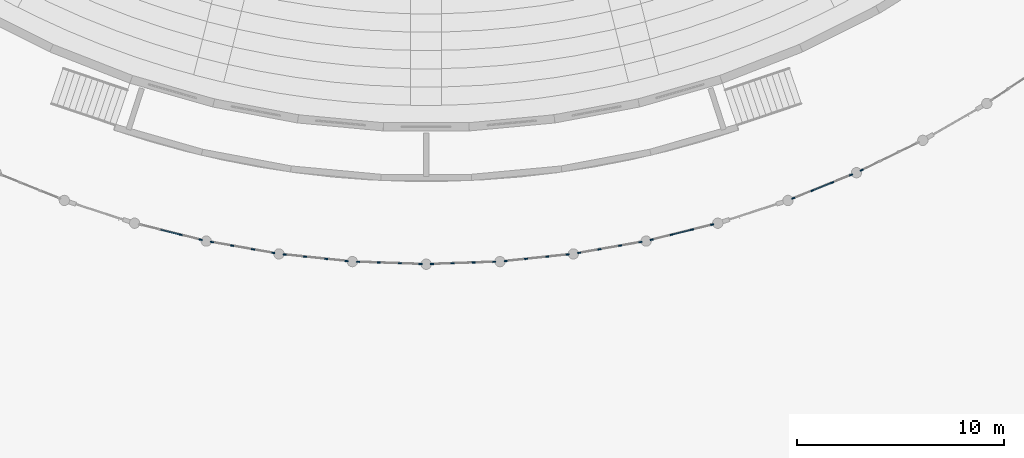
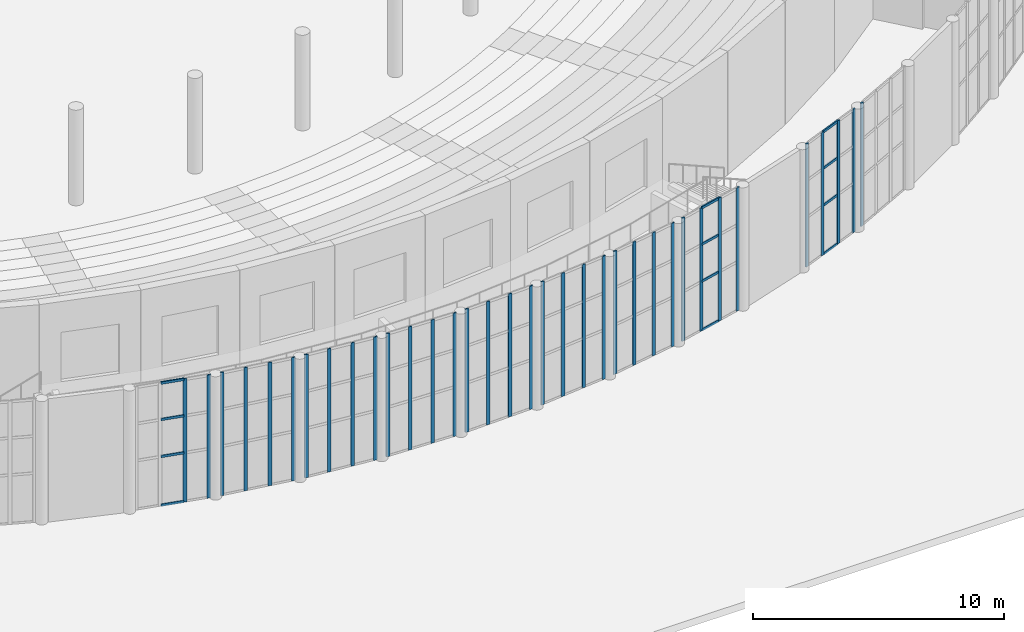
# One storey, part 47 of 210: 47 members, 10 elements without a shape of their own.
"""IFC4 building model written with IfcOpenShell, lengths in metres."""

from ifc_helpers import new_model, si_unit, direction, frame, origin, origin_2d, place, context, subcontext, project, spatial, rectangle, extrude, material, layer, layer_set, material_profile, profile_set, type_object, element, aggregate, save


model = new_model("IFC4")

# Units and contexts
model_context = context("Model", 3, precision=1e-05, world=origin(), true_north=direction((0.0, 1.0)))
body_context = subcontext(model_context, "Body", "Model", "MODEL_VIEW")
ifc_project = project(units=[si_unit("LENGTHUNIT", "METRE"), si_unit("AREAUNIT", "SQUARE_METRE"), si_unit("VOLUMEUNIT", "CUBIC_METRE"), si_unit("PLANEANGLEUNIT", "RADIAN"), si_unit("MASSUNIT", "GRAM", prefix="KILO")], contexts=[model_context])

# Site, building, storey
site_placement = place(None, origin())
site = spatial("IfcSite", under=ifc_project, at=site_placement, CompositionType="ELEMENT")
building_placement = place(site_placement, origin())
building = spatial("IfcBuilding", under=site, at=building_placement, Name="Rain Tree Exposition and Congress Centre", CompositionType="ELEMENT")
storey_placement = place(building_placement, origin())
storey = spatial("IfcBuildingStorey", under=building, at=storey_placement, Name="L00", CompositionType="ELEMENT", Elevation=0.0)

# Curtain wall, members
ifc_material_1 = material(Name="Aluminium", Category="aluminium")
ifc_layer = layer(ifc_material_1, 0.10009765625)
ifc_layer_set = layer_set([ifc_layer], Name="Aluminium")
curtain_wall_type = type_object("IfcCurtainWallType", Name="Curtain wall congress", PredefinedType="NOTDEFINED", material=ifc_layer_set)
curtain_wall_1_placement = place(storey_placement, origin())
curtain_wall_1 = element("IfcCurtainWall", 1, at=curtain_wall_1_placement, inside=storey, type_object=curtain_wall_type, Name="Curtain wall L00 bay 7", PredefinedType="NOTDEFINED")
ifc_material_2 = material(Name="Aluminium", Category="aluminium")
ifc_material_profile_1 = material_profile(ifc_material_2, rectangle(XDim=0.06005859375, YDim=0.159912109375, at=origin_2d()), Name="AL 60x160")
ifc_profile_set_1 = profile_set([ifc_material_profile_1], Name="Aluminium")
member_type_1 = type_object("IfcMemberType", Name="Curtain wall mullion 60x160 congress", PredefinedType="MULLION", material=ifc_profile_set_1)
member_1_placement = place(storey_placement, frame((189.71826171875, 17.42724609375, 0.0), z_axis=(0.0, 0.0, 1.0), x_axis=(0.241923171133, 0.970295408249, 0.0)))
member_1 = element("IfcMember", 2, at=member_1_placement, type_object=member_type_1, Name="CWG107 mullion 3", PredefinedType="MULLION", context=body_context, shape_type="SweptSolid", body=[
    extrude(rectangle(XDim=0.06005859375, YDim=0.159912109375, at=origin_2d()), origin(), (0.0, 0.0, 1.0), 6.0),
])
member_2_placement = place(storey_placement, frame((190.68310546875, 17.1865234375, 0.0), z_axis=(0.0, 0.0, 1.0), x_axis=(0.241923171133, 0.970295408249, 0.0)))
member_2 = element("IfcMember", 3, at=member_2_placement, type_object=member_type_1, Name="CWG107 mullion 4", PredefinedType="MULLION", context=body_context, shape_type="SweptSolid", body=[
    extrude(rectangle(XDim=0.06005859375, YDim=0.159912109375, at=origin_2d()), origin(), (0.0, 0.0, 1.0), 6.0),
])

curtain_wall_2_placement = place(storey_placement, origin())
curtain_wall_2 = element("IfcCurtainWall", 4, at=curtain_wall_2_placement, inside=storey, type_object=curtain_wall_type, Name="Curtain wall L00 bay 8", PredefinedType="NOTDEFINED")
member_3_placement = place(storey_placement, frame((191.230712890625, 17.0703125, 0.0), z_axis=(0.0, 0.0, 1.0), x_axis=(0.173634997701, 0.984810076905, 0.0)))
member_3 = element("IfcMember", 5, at=member_3_placement, type_object=member_type_1, Name="CWG108 mullion 1", PredefinedType="MULLION", context=body_context, shape_type="SweptSolid", body=[
    extrude(rectangle(XDim=0.06005859375, YDim=0.159912109375, at=origin_2d()), origin(), (0.0, 0.0, 1.0), 6.0),
])
member_4_placement = place(storey_placement, frame((192.210205078125, 16.8974609375, 0.0), z_axis=(0.0, 0.0, 1.0), x_axis=(0.173634997701, 0.984810076905, 0.0)))
member_4 = element("IfcMember", 6, at=member_4_placement, type_object=member_type_1, Name="CWG108 mullion 2", PredefinedType="MULLION", context=body_context, shape_type="SweptSolid", body=[
    extrude(rectangle(XDim=0.06005859375, YDim=0.159912109375, at=origin_2d()), origin(), (0.0, 0.0, 1.0), 6.0),
])
member_5_placement = place(storey_placement, frame((193.218994140625, 16.719482421875, 0.0), z_axis=(0.0, 0.0, 1.0), x_axis=(0.173634997701, 0.984810076905, 0.0)))
member_5 = element("IfcMember", 7, at=member_5_placement, type_object=member_type_1, Name="CWG108 mullion 3", PredefinedType="MULLION", context=body_context, shape_type="SweptSolid", body=[
    extrude(rectangle(XDim=0.06005859375, YDim=0.159912109375, at=origin_2d()), origin(), (0.0, 0.0, 1.0), 6.0),
])
member_6_placement = place(storey_placement, frame((194.198486328125, 16.546875, 0.0), z_axis=(0.0, 0.0, 1.0), x_axis=(0.173634997701, 0.984810076905, 0.0)))
member_6 = element("IfcMember", 8, at=member_6_placement, type_object=member_type_1, Name="CWG108 mullion 4", PredefinedType="MULLION", context=body_context, shape_type="SweptSolid", body=[
    extrude(rectangle(XDim=0.06005859375, YDim=0.159912109375, at=origin_2d()), origin(), (0.0, 0.0, 1.0), 6.0),
])
aggregate(curtain_wall_2, [member_3, member_4, member_5, member_6])

curtain_wall_3_placement = place(storey_placement, origin())
curtain_wall_3 = element("IfcCurtainWall", 9, at=curtain_wall_3_placement, inside=storey, type_object=curtain_wall_type, Name="Curtain wall L00 bay 9", PredefinedType="NOTDEFINED")
member_7_placement = place(storey_placement, frame((194.7529296875, 16.468994140625, 0.0), z_axis=(0.0, 0.0, 1.0), x_axis=(0.104501874612, 0.994524689589, 0.0)))
member_7 = element("IfcMember", 10, at=member_7_placement, type_object=member_type_1, Name="CWG109 mullion 1", PredefinedType="MULLION", context=body_context, shape_type="SweptSolid", body=[
    extrude(rectangle(XDim=0.06005859375, YDim=0.159912109375, at=origin_2d()), origin(), (0.0, 0.0, 1.0), 6.0),
])
member_8_placement = place(storey_placement, frame((195.741943359375, 16.364990234375, 0.0), z_axis=(0.0, 0.0, 1.0), x_axis=(0.104501874612, 0.994524689589, 0.0)))
member_8 = element("IfcMember", 11, at=member_8_placement, type_object=member_type_1, Name="CWG109 mullion 2", PredefinedType="MULLION", context=body_context, shape_type="SweptSolid", body=[
    extrude(rectangle(XDim=0.06005859375, YDim=0.159912109375, at=origin_2d()), origin(), (0.0, 0.0, 1.0), 6.0),
])
member_9_placement = place(storey_placement, frame((196.760986328125, 16.258056640625, 0.0), z_axis=(0.0, 0.0, 1.0), x_axis=(0.104501874612, 0.994524689589, 0.0)))
member_9 = element("IfcMember", 12, at=member_9_placement, type_object=member_type_1, Name="CWG109 mullion 3", PredefinedType="MULLION", context=body_context, shape_type="SweptSolid", body=[
    extrude(rectangle(XDim=0.06005859375, YDim=0.159912109375, at=origin_2d()), origin(), (0.0, 0.0, 1.0), 6.0),
])
member_10_placement = place(storey_placement, frame((197.75, 16.154052734375, 0.0), z_axis=(0.0, 0.0, 1.0), x_axis=(0.104501874612, 0.994524689589, 0.0)))
member_10 = element("IfcMember", 13, at=member_10_placement, type_object=member_type_1, Name="CWG109 mullion 4", PredefinedType="MULLION", context=body_context, shape_type="SweptSolid", body=[
    extrude(rectangle(XDim=0.06005859375, YDim=0.159912109375, at=origin_2d()), origin(), (0.0, 0.0, 1.0), 6.0),
])
aggregate(curtain_wall_3, [member_7, member_8, member_9, member_10])

curtain_wall_4_placement = place(storey_placement, origin())
curtain_wall_4 = element("IfcCurtainWall", 14, at=curtain_wall_4_placement, inside=storey, type_object=curtain_wall_type, Name="Curtain wall L00 bay 10", PredefinedType="NOTDEFINED")
member_11_placement = place(storey_placement, frame((198.308349609375, 16.114990234375, 0.0), z_axis=(0.0, 0.0, 1.0), x_axis=(0.03490823366, 0.99939052188, 0.0)))
member_11 = element("IfcMember", 15, at=member_11_placement, type_object=member_type_1, Name="CWG110 mullion 1", PredefinedType="MULLION", context=body_context, shape_type="SweptSolid", body=[
    extrude(rectangle(XDim=0.06005859375, YDim=0.159912109375, at=origin_2d()), origin(), (0.0, 0.0, 1.0), 6.0),
])
member_12_placement = place(storey_placement, frame((199.30224609375, 16.080322265625, 0.0), z_axis=(0.0, 0.0, 1.0), x_axis=(0.03490823366, 0.99939052188, 0.0)))
member_12 = element("IfcMember", 16, at=member_12_placement, type_object=member_type_1, Name="CWG110 mullion 2", PredefinedType="MULLION", context=body_context, shape_type="SweptSolid", body=[
    extrude(rectangle(XDim=0.06005859375, YDim=0.159912109375, at=origin_2d()), origin(), (0.0, 0.0, 1.0), 6.0),
])
member_13_placement = place(storey_placement, frame((200.326171875, 16.04443359375, 0.0), z_axis=(0.0, 0.0, 1.0), x_axis=(0.03490823366, 0.99939052188, 0.0)))
member_13 = element("IfcMember", 17, at=member_13_placement, type_object=member_type_1, Name="CWG110 mullion 3", PredefinedType="MULLION", context=body_context, shape_type="SweptSolid", body=[
    extrude(rectangle(XDim=0.06005859375, YDim=0.159912109375, at=origin_2d()), origin(), (0.0, 0.0, 1.0), 6.0),
])
member_14_placement = place(storey_placement, frame((201.3203125, 16.009765625, 0.0), z_axis=(0.0, 0.0, 1.0), x_axis=(0.03490823366, 0.99939052188, 0.0)))
member_14 = element("IfcMember", 18, at=member_14_placement, type_object=member_type_1, Name="CWG110 mullion 4", PredefinedType="MULLION", context=body_context, shape_type="SweptSolid", body=[
    extrude(rectangle(XDim=0.06005859375, YDim=0.159912109375, at=origin_2d()), origin(), (0.0, 0.0, 1.0), 6.0),
])
aggregate(curtain_wall_4, [member_11, member_12, member_13, member_14])

curtain_wall_5_placement = place(storey_placement, origin())
curtain_wall_5 = element("IfcCurtainWall", 19, at=curtain_wall_5_placement, inside=storey, type_object=curtain_wall_type, Name="Curtain wall L00 bay 11", PredefinedType="NOTDEFINED")
member_15_placement = place(storey_placement, frame((201.8798828125, 16.009765625, 0.0), z_axis=(0.0, 0.0, 1.0), x_axis=(-0.03490823366, 0.99939052188, 0.0)))
member_15 = element("IfcMember", 20, at=member_15_placement, type_object=member_type_1, Name="CWG111 mullion 1", PredefinedType="MULLION", context=body_context, shape_type="SweptSolid", body=[
    extrude(rectangle(XDim=0.06005859375, YDim=0.159912109375, at=origin_2d()), origin(), (0.0, 0.0, 1.0), 6.0),
])
member_16_placement = place(storey_placement, frame((202.873779296875, 16.04443359375, 0.0), z_axis=(0.0, 0.0, 1.0), x_axis=(-0.03490823366, 0.99939052188, 0.0)))
member_16 = element("IfcMember", 21, at=member_16_placement, type_object=member_type_1, Name="CWG111 mullion 2", PredefinedType="MULLION", context=body_context, shape_type="SweptSolid", body=[
    extrude(rectangle(XDim=0.06005859375, YDim=0.159912109375, at=origin_2d()), origin(), (0.0, 0.0, 1.0), 6.0),
])
member_17_placement = place(storey_placement, frame((203.897705078125, 16.080322265625, 0.0), z_axis=(0.0, 0.0, 1.0), x_axis=(-0.03490823366, 0.99939052188, 0.0)))
member_17 = element("IfcMember", 22, at=member_17_placement, type_object=member_type_1, Name="CWG111 mullion 3", PredefinedType="MULLION", context=body_context, shape_type="SweptSolid", body=[
    extrude(rectangle(XDim=0.06005859375, YDim=0.159912109375, at=origin_2d()), origin(), (0.0, 0.0, 1.0), 6.0),
])
member_18_placement = place(storey_placement, frame((204.8916015625, 16.114990234375, 0.0), z_axis=(0.0, 0.0, 1.0), x_axis=(-0.03490823366, 0.99939052188, 0.0)))
member_18 = element("IfcMember", 23, at=member_18_placement, type_object=member_type_1, Name="CWG111 mullion 4", PredefinedType="MULLION", context=body_context, shape_type="SweptSolid", body=[
    extrude(rectangle(XDim=0.06005859375, YDim=0.159912109375, at=origin_2d()), origin(), (0.0, 0.0, 1.0), 6.0),
])
aggregate(curtain_wall_5, [member_15, member_16, member_17, member_18])

curtain_wall_6_placement = place(storey_placement, origin())
curtain_wall_6 = element("IfcCurtainWall", 24, at=curtain_wall_6_placement, inside=storey, type_object=curtain_wall_type, Name="Curtain wall L00 bay 12", PredefinedType="NOTDEFINED")
member_19_placement = place(storey_placement, frame((205.449951171875, 16.154052734375, 0.0), z_axis=(0.0, 0.0, 1.0), x_axis=(-0.104501874612, 0.994524689589, 0.0)))
member_19 = element("IfcMember", 25, at=member_19_placement, type_object=member_type_1, Name="CWG112 mullion 1", PredefinedType="MULLION", context=body_context, shape_type="SweptSolid", body=[
    extrude(rectangle(XDim=0.06005859375, YDim=0.159912109375, at=origin_2d()), origin(), (0.0, 0.0, 1.0), 6.0),
])
member_20_placement = place(storey_placement, frame((206.439208984375, 16.258056640625, 0.0), z_axis=(0.0, 0.0, 1.0), x_axis=(-0.104501874612, 0.994524689589, 0.0)))
member_20 = element("IfcMember", 26, at=member_20_placement, type_object=member_type_1, Name="CWG112 mullion 2", PredefinedType="MULLION", context=body_context, shape_type="SweptSolid", body=[
    extrude(rectangle(XDim=0.06005859375, YDim=0.159912109375, at=origin_2d()), origin(), (0.0, 0.0, 1.0), 6.0),
])
member_21_placement = place(storey_placement, frame((207.4580078125, 16.364990234375, 0.0), z_axis=(0.0, 0.0, 1.0), x_axis=(-0.104501874612, 0.994524689589, 0.0)))
member_21 = element("IfcMember", 27, at=member_21_placement, type_object=member_type_1, Name="CWG112 mullion 3", PredefinedType="MULLION", context=body_context, shape_type="SweptSolid", body=[
    extrude(rectangle(XDim=0.06005859375, YDim=0.159912109375, at=origin_2d()), origin(), (0.0, 0.0, 1.0), 6.0),
])
member_22_placement = place(storey_placement, frame((208.447265625, 16.468994140625, 0.0), z_axis=(0.0, 0.0, 1.0), x_axis=(-0.104501874612, 0.994524689589, 0.0)))
member_22 = element("IfcMember", 28, at=member_22_placement, type_object=member_type_1, Name="CWG112 mullion 4", PredefinedType="MULLION", context=body_context, shape_type="SweptSolid", body=[
    extrude(rectangle(XDim=0.06005859375, YDim=0.159912109375, at=origin_2d()), origin(), (0.0, 0.0, 1.0), 6.0),
])
aggregate(curtain_wall_6, [member_19, member_20, member_21, member_22])

curtain_wall_7_placement = place(storey_placement, origin())
curtain_wall_7 = element("IfcCurtainWall", 29, at=curtain_wall_7_placement, inside=storey, type_object=curtain_wall_type, Name="Curtain wall L00 bay 13", PredefinedType="NOTDEFINED")
member_23_placement = place(storey_placement, frame((209.00146484375, 16.546875, 0.0), z_axis=(0.0, 0.0, 1.0), x_axis=(-0.173634997701, 0.984810076905, 0.0)))
member_23 = element("IfcMember", 30, at=member_23_placement, type_object=member_type_1, Name="CWG113 mullion 1", PredefinedType="MULLION", context=body_context, shape_type="SweptSolid", body=[
    extrude(rectangle(XDim=0.06005859375, YDim=0.159912109375, at=origin_2d()), origin(), (0.0, 0.0, 1.0), 6.0),
])
member_24_placement = place(storey_placement, frame((209.98095703125, 16.719482421875, 0.0), z_axis=(0.0, 0.0, 1.0), x_axis=(-0.173634997701, 0.984810076905, 0.0)))
member_24 = element("IfcMember", 31, at=member_24_placement, type_object=member_type_1, Name="CWG113 mullion 2", PredefinedType="MULLION", context=body_context, shape_type="SweptSolid", body=[
    extrude(rectangle(XDim=0.06005859375, YDim=0.159912109375, at=origin_2d()), origin(), (0.0, 0.0, 1.0), 6.0),
])
member_25_placement = place(storey_placement, frame((210.989990234375, 16.8974609375, 0.0), z_axis=(0.0, 0.0, 1.0), x_axis=(-0.173634997701, 0.984810076905, 0.0)))
member_25 = element("IfcMember", 32, at=member_25_placement, type_object=member_type_1, Name="CWG113 mullion 3", PredefinedType="MULLION", context=body_context, shape_type="SweptSolid", body=[
    extrude(rectangle(XDim=0.06005859375, YDim=0.159912109375, at=origin_2d()), origin(), (0.0, 0.0, 1.0), 6.0),
])
member_26_placement = place(storey_placement, frame((211.96923828125, 17.0703125, 0.0), z_axis=(0.0, 0.0, 1.0), x_axis=(-0.173634997701, 0.984810076905, 0.0)))
member_26 = element("IfcMember", 33, at=member_26_placement, type_object=member_type_1, Name="CWG113 mullion 4", PredefinedType="MULLION", context=body_context, shape_type="SweptSolid", body=[
    extrude(rectangle(XDim=0.06005859375, YDim=0.159912109375, at=origin_2d()), origin(), (0.0, 0.0, 1.0), 6.0),
])
aggregate(curtain_wall_7, [member_23, member_24, member_25, member_26])

curtain_wall_8_placement = place(storey_placement, origin())
curtain_wall_8 = element("IfcCurtainWall", 34, at=curtain_wall_8_placement, inside=storey, type_object=curtain_wall_type, Name="Curtain wall L00 bay 14", PredefinedType="NOTDEFINED")
member_27_placement = place(storey_placement, frame((212.516845703125, 17.1865234375, 0.0), z_axis=(0.0, 0.0, 1.0), x_axis=(-0.241923171133, 0.970295408249, 0.0)))
member_27 = element("IfcMember", 35, at=member_27_placement, type_object=member_type_1, Name="CWG114 mullion 1", PredefinedType="MULLION", context=body_context, shape_type="SweptSolid", body=[
    extrude(rectangle(XDim=0.06005859375, YDim=0.159912109375, at=origin_2d()), origin(), (0.0, 0.0, 1.0), 6.0),
])
member_28_placement = place(storey_placement, frame((213.48193359375, 17.42724609375, 0.0), z_axis=(0.0, 0.0, 1.0), x_axis=(-0.241923171133, 0.970295408249, 0.0)))
member_28 = element("IfcMember", 36, at=member_28_placement, type_object=member_type_1, Name="CWG114 mullion 2", PredefinedType="MULLION", context=body_context, shape_type="SweptSolid", body=[
    extrude(rectangle(XDim=0.06005859375, YDim=0.159912109375, at=origin_2d()), origin(), (0.0, 0.0, 1.0), 6.0),
])
member_29_placement = place(storey_placement, frame((214.47607421875, 17.675048828125, 0.0), z_axis=(0.0, 0.0, 1.0), x_axis=(-0.241923171133, 0.970295408249, 0.0)))
member_29 = element("IfcMember", 37, at=member_29_placement, type_object=member_type_1, Name="CWG114 mullion 3", PredefinedType="MULLION", context=body_context, shape_type="SweptSolid", body=[
    extrude(rectangle(XDim=0.06005859375, YDim=0.159912109375, at=origin_2d()), origin(), (0.0, 0.0, 1.0), 6.0),
])
member_30_placement = place(storey_placement, frame((215.44091796875, 17.91552734375, 0.0), z_axis=(0.0, 0.0, 1.0), x_axis=(-0.241923171133, 0.970295408249, 0.0)))
member_30 = element("IfcMember", 38, at=member_30_placement, type_object=member_type_1, Name="CWG114 mullion 4", PredefinedType="MULLION", context=body_context, shape_type="SweptSolid", body=[
    extrude(rectangle(XDim=0.06005859375, YDim=0.159912109375, at=origin_2d()), origin(), (0.0, 0.0, 1.0), 6.0),
])

curtain_wall_9_placement = place(storey_placement, origin())
curtain_wall_9 = element("IfcCurtainWall", 39, at=curtain_wall_9_placement, inside=storey, type_object=curtain_wall_type, Name="Curtain wall L00 bay 16", PredefinedType="NOTDEFINED")
member_31_placement = place(storey_placement, frame((219.37109375, 19.192626953125, 0.0), z_axis=(0.0, 0.0, 1.0), x_axis=(-0.374596988714, 0.92718773506, 0.0)))
member_31 = element("IfcMember", 40, at=member_31_placement, type_object=member_type_1, Name="CWG116 mullion 1", PredefinedType="MULLION", context=body_context, shape_type="SweptSolid", body=[
    extrude(rectangle(XDim=0.06005859375, YDim=0.159912109375, at=origin_2d()), origin(), (0.0, 0.0, 1.0), 6.0),
])
member_32_placement = place(storey_placement, frame((220.293212890625, 19.565185546875, 0.0), z_axis=(0.0, 0.0, 1.0), x_axis=(-0.374596988714, 0.92718773506, 0.0)))
member_32 = element("IfcMember", 41, at=member_32_placement, type_object=member_type_1, Name="CWG116 mullion 2", PredefinedType="MULLION", context=body_context, shape_type="SweptSolid", body=[
    extrude(rectangle(XDim=0.06005859375, YDim=0.159912109375, at=origin_2d()), origin(), (0.0, 0.0, 1.0), 6.0),
])
member_33_placement = place(storey_placement, frame((221.2431640625, 19.948974609375, 0.0), z_axis=(0.0, 0.0, 1.0), x_axis=(-0.374596988714, 0.92718773506, 0.0)))
member_33 = element("IfcMember", 42, at=member_33_placement, type_object=member_type_1, Name="CWG116 mullion 3", PredefinedType="MULLION", context=body_context, shape_type="SweptSolid", body=[
    extrude(rectangle(XDim=0.06005859375, YDim=0.159912109375, at=origin_2d()), origin(), (0.0, 0.0, 1.0), 6.0),
])
member_34_placement = place(storey_placement, frame((222.165283203125, 20.321533203125, 0.0), z_axis=(0.0, 0.0, 1.0), x_axis=(-0.374596988714, 0.92718773506, 0.0)))
member_34 = element("IfcMember", 43, at=member_34_placement, type_object=member_type_1, Name="CWG116 mullion 4", PredefinedType="MULLION", context=body_context, shape_type="SweptSolid", body=[
    extrude(rectangle(XDim=0.06005859375, YDim=0.159912109375, at=origin_2d()), origin(), (0.0, 0.0, 1.0), 6.0),
])

# Curtain wall, member
curtain_wall_10_placement = place(storey_placement, origin())
curtain_wall_10 = element("IfcCurtainWall", 44, at=curtain_wall_10_placement, inside=storey, type_object=curtain_wall_type, Name="Curtain wall L00 bay 17", PredefinedType="NOTDEFINED")
member_35_placement = place(storey_placement, frame((222.676513671875, 20.54931640625, 0.0), z_axis=(0.0, 0.0, 1.0), x_axis=(-0.438368505628, 0.898795334475, 0.0)))
member_35 = element("IfcMember", 45, at=member_35_placement, type_object=member_type_1, Name="CWG117 mullion 1", PredefinedType="MULLION", context=body_context, shape_type="SweptSolid", body=[
    extrude(rectangle(XDim=0.06005859375, YDim=0.159912109375, at=origin_2d()), origin(), (0.0, 0.0, 1.0), 6.0),
])
aggregate(curtain_wall_10, [member_35])

# Member
ifc_material_3 = material(Name="Aluminium", Category="aluminium")
ifc_material_profile_2 = material_profile(ifc_material_3, rectangle(XDim=0.06005859375, YDim=0.1201171875, at=origin_2d()), Name="AL 60x120")
ifc_profile_set_2 = profile_set([ifc_material_profile_2], Name="Aluminium")
member_type_2 = type_object("IfcMemberType", Name="Curtain wall transom 60x120 congress", PredefinedType="USERDEFINED", material=ifc_profile_set_2)
member_36_placement = place(storey_placement, frame((188.753173828125, 17.667724609375, 0.030029296875), z_axis=(0.970276366061, -0.241999531947, 0.0), x_axis=(0.241999531947, 0.970276366061, 0.0)))
member_36 = element("IfcMember", 46, at=member_36_placement, type_object=member_type_2, Name="CWG107 transom 2.1", ObjectType="TRANSOM", PredefinedType="USERDEFINED", context=body_context, shape_type="SweptSolid", body=[
    extrude(rectangle(XDim=0.06005859375, YDim=0.1201171875, at=origin_2d()), origin(), (0.0, 0.0, 1.0), 0.96435546875),
])

member_37_placement = place(storey_placement, frame((188.753173828125, 17.667724609375, 2.39990234375), z_axis=(0.970276366061, -0.241999531947, 0.0), x_axis=(0.241999531947, 0.970276366061, 0.0)))
member_37 = element("IfcMember", 47, at=member_37_placement, type_object=member_type_2, Name="CWG107 transom 2.2", ObjectType="TRANSOM", PredefinedType="USERDEFINED", context=body_context, shape_type="SweptSolid", body=[
    extrude(rectangle(XDim=0.06005859375, YDim=0.1201171875, at=origin_2d()), origin(), (0.0, 0.0, 1.0), 0.96435546875),
])

member_38_placement = place(storey_placement, frame((188.753173828125, 17.667724609375, 4.199951171875), z_axis=(0.970276366061, -0.241999531947, 0.0), x_axis=(0.241999531947, 0.970276366061, 0.0)))
member_38 = element("IfcMember", 48, at=member_38_placement, type_object=member_type_2, Name="CWG107 transom 2.3", ObjectType="TRANSOM", PredefinedType="USERDEFINED", context=body_context, shape_type="SweptSolid", body=[
    extrude(rectangle(XDim=0.06005859375, YDim=0.1201171875, at=origin_2d()), origin(), (0.0, 0.0, 1.0), 0.96435546875),
])

member_39_placement = place(storey_placement, frame((188.753173828125, 17.667724609375, 5.969970703125), z_axis=(0.970276366061, -0.241999531947, 0.0), x_axis=(0.241999531947, 0.970276366061, 0.0)))
member_39 = element("IfcMember", 49, at=member_39_placement, type_object=member_type_2, Name="CWG107 transom 2.4", ObjectType="TRANSOM", PredefinedType="USERDEFINED", context=body_context, shape_type="SweptSolid", body=[
    extrude(rectangle(XDim=0.06005859375, YDim=0.1201171875, at=origin_2d()), origin(), (0.0, 0.0, 1.0), 0.96435546875),
])

aggregate(curtain_wall_1, [member_1, member_2, member_36, member_37, member_38, member_39])

member_40_placement = place(storey_placement, frame((213.510986328125, 17.434326171875, 0.030029296875), z_axis=(0.970276366061, 0.241999531947, 0.0), x_axis=(-0.241999531947, 0.970276366061, 0.0)))
member_40 = element("IfcMember", 50, at=member_40_placement, type_object=member_type_2, Name="CWG114 transom 2.1", ObjectType="TRANSOM", PredefinedType="USERDEFINED", context=body_context, shape_type="SweptSolid", body=[
    extrude(rectangle(XDim=0.06005859375, YDim=0.1201171875, at=origin_2d()), origin(), (0.0, 0.0, 1.0), 0.96435546875),
])

member_41_placement = place(storey_placement, frame((213.510986328125, 17.434326171875, 2.39990234375), z_axis=(0.970276366061, 0.241999531947, 0.0), x_axis=(-0.241999531947, 0.970276366061, 0.0)))
member_41 = element("IfcMember", 51, at=member_41_placement, type_object=member_type_2, Name="CWG114 transom 2.2", ObjectType="TRANSOM", PredefinedType="USERDEFINED", context=body_context, shape_type="SweptSolid", body=[
    extrude(rectangle(XDim=0.06005859375, YDim=0.1201171875, at=origin_2d()), origin(), (0.0, 0.0, 1.0), 0.96435546875),
])

member_42_placement = place(storey_placement, frame((213.510986328125, 17.434326171875, 4.199951171875), z_axis=(0.970276366061, 0.241999531947, 0.0), x_axis=(-0.241999531947, 0.970276366061, 0.0)))
member_42 = element("IfcMember", 52, at=member_42_placement, type_object=member_type_2, Name="CWG114 transom 2.3", ObjectType="TRANSOM", PredefinedType="USERDEFINED", context=body_context, shape_type="SweptSolid", body=[
    extrude(rectangle(XDim=0.06005859375, YDim=0.1201171875, at=origin_2d()), origin(), (0.0, 0.0, 1.0), 0.96435546875),
])

member_43_placement = place(storey_placement, frame((213.510986328125, 17.434326171875, 5.969970703125), z_axis=(0.970276366061, 0.241999531947, 0.0), x_axis=(-0.241999531947, 0.970276366061, 0.0)))
member_43 = element("IfcMember", 53, at=member_43_placement, type_object=member_type_2, Name="CWG114 transom 2.4", ObjectType="TRANSOM", PredefinedType="USERDEFINED", context=body_context, shape_type="SweptSolid", body=[
    extrude(rectangle(XDim=0.06005859375, YDim=0.1201171875, at=origin_2d()), origin(), (0.0, 0.0, 1.0), 0.96435546875),
])

aggregate(curtain_wall_8, [member_27, member_28, member_29, member_30, member_40, member_41, member_42, member_43])

member_44_placement = place(storey_placement, frame((220.321044921875, 19.576416015625, 0.030029296875), z_axis=(0.927179288599, 0.374617894384, 0.0), x_axis=(-0.374617894384, 0.927179288599, 0.0)))
member_44 = element("IfcMember", 54, at=member_44_placement, type_object=member_type_2, Name="CWG116 transom 2.1", ObjectType="TRANSOM", PredefinedType="USERDEFINED", context=body_context, shape_type="SweptSolid", body=[
    extrude(rectangle(XDim=0.06005859375, YDim=0.1201171875, at=origin_2d()), origin(), (0.0, 0.0, 1.0), 0.964599609375),
])

member_45_placement = place(storey_placement, frame((220.321044921875, 19.576416015625, 2.39990234375), z_axis=(0.927179288599, 0.374617894384, 0.0), x_axis=(-0.374617894384, 0.927179288599, 0.0)))
member_45 = element("IfcMember", 55, at=member_45_placement, type_object=member_type_2, Name="CWG116 transom 2.2", ObjectType="TRANSOM", PredefinedType="USERDEFINED", context=body_context, shape_type="SweptSolid", body=[
    extrude(rectangle(XDim=0.06005859375, YDim=0.1201171875, at=origin_2d()), origin(), (0.0, 0.0, 1.0), 0.964599609375),
])

member_46_placement = place(storey_placement, frame((220.321044921875, 19.576416015625, 4.199951171875), z_axis=(0.927179288599, 0.374617894384, 0.0), x_axis=(-0.374617894384, 0.927179288599, 0.0)))
member_46 = element("IfcMember", 56, at=member_46_placement, type_object=member_type_2, Name="CWG116 transom 2.3", ObjectType="TRANSOM", PredefinedType="USERDEFINED", context=body_context, shape_type="SweptSolid", body=[
    extrude(rectangle(XDim=0.06005859375, YDim=0.1201171875, at=origin_2d()), origin(), (0.0, 0.0, 1.0), 0.964599609375),
])

member_47_placement = place(storey_placement, frame((220.321044921875, 19.576416015625, 5.969970703125), z_axis=(0.927179288599, 0.374617894384, 0.0), x_axis=(-0.374617894384, 0.927179288599, 0.0)))
member_47 = element("IfcMember", 57, at=member_47_placement, type_object=member_type_2, Name="CWG116 transom 2.4", ObjectType="TRANSOM", PredefinedType="USERDEFINED", context=body_context, shape_type="SweptSolid", body=[
    extrude(rectangle(XDim=0.06005859375, YDim=0.1201171875, at=origin_2d()), origin(), (0.0, 0.0, 1.0), 0.964599609375),
])

aggregate(curtain_wall_9, [member_31, member_32, member_33, member_34, member_44, member_45, member_46, member_47])

save(model, "model.ifc")
